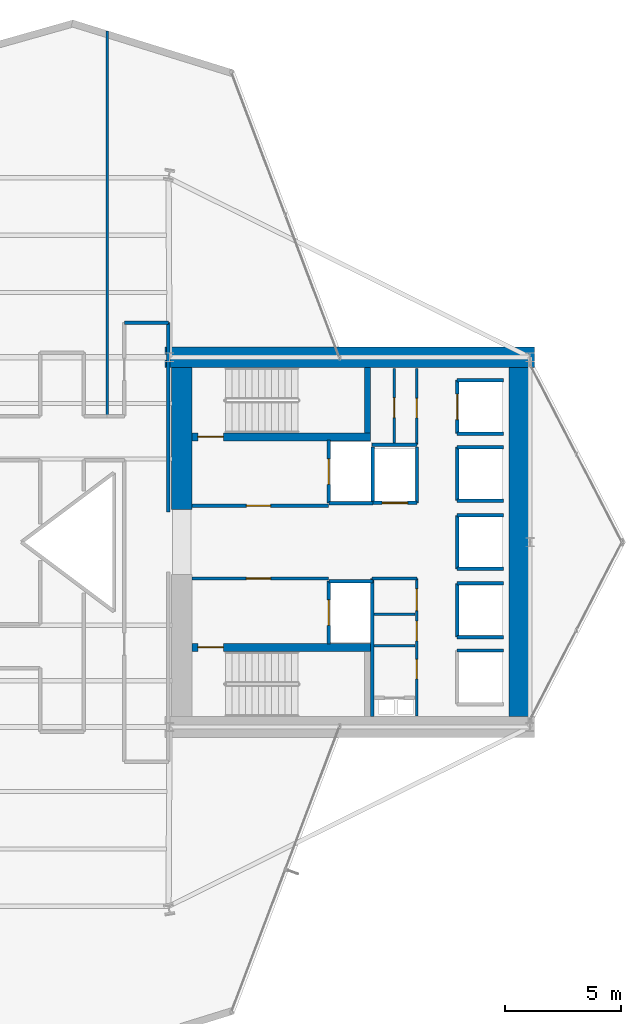
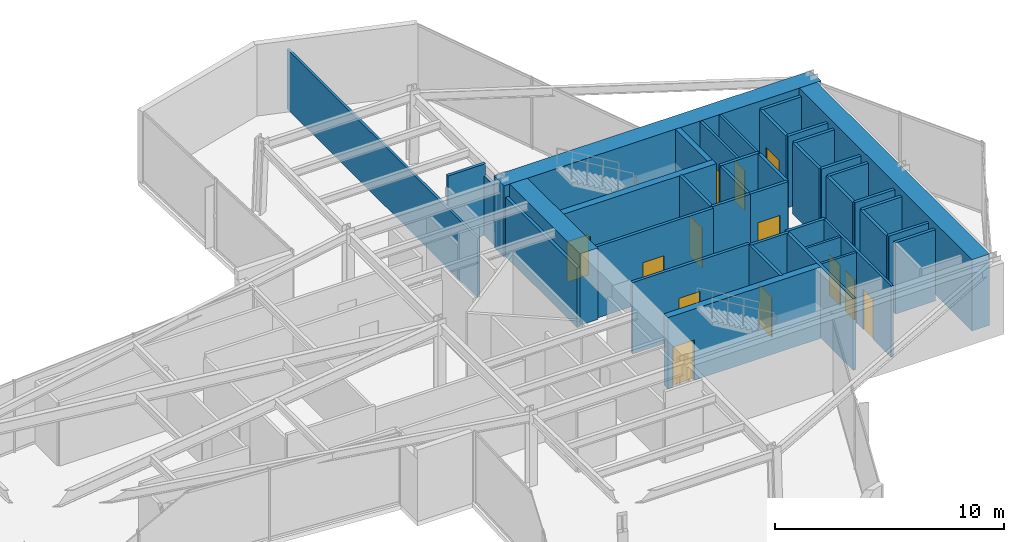
# One storey, part 26 of 28: 39 walls, 13 doors, 13 openings.
"""IFC4 building model written with IfcOpenShell, lengths in metres."""

from ifc_helpers import new_model, si_unit, direction, frame, frame_2d, origin, place, context, subcontext, project, spatial, rectangle, extrude, material, layer, layer_set, type_object, element, fill, save


model = new_model("IFC4")

# Units and contexts
model_context = context("Model", 3, precision=1e-05, world=origin(), true_north=direction((0.0, 1.0)))
body_context = subcontext(model_context, "Body", "Model", "MODEL_VIEW")
ifc_project = project(units=[si_unit("LENGTHUNIT", "METRE"), si_unit("AREAUNIT", "SQUARE_METRE"), si_unit("VOLUMEUNIT", "CUBIC_METRE"), si_unit("PLANEANGLEUNIT", "RADIAN"), si_unit("MASSUNIT", "GRAM", prefix="KILO")], contexts=[model_context])

# Site, building, storey
site_placement = place(None, origin())
site = spatial("IfcSite", under=ifc_project, at=site_placement, CompositionType="ELEMENT")
building_placement = place(site_placement, origin())
building = spatial("IfcBuilding", under=site, at=building_placement, Name="Veymaron Broadcast Tower", CompositionType="ELEMENT")
storey_placement = place(building_placement, frame((0.0, 0.0, 45.89990234375)))
storey = spatial("IfcBuildingStorey", under=building, at=storey_placement, Name="L09", CompositionType="ELEMENT", Elevation=45.89990234375)

# Wall, opening, door
ifc_material_1 = material(Name="Gypsum fireboard and steel stud framing", Category="steel")
ifc_layer_1 = layer(ifc_material_1, 0.14990234375)
ifc_layer_set_1 = layer_set([ifc_layer_1], Name="Gypsum fireboard and steel stud framing")
wall_type_1 = type_object("IfcWallType", Name="WALL-FIRE-150", PredefinedType="PARTITIONING", material=ifc_layer_set_1)
wall_1_placement = place(storey_placement, frame((39.97998046875, 25.574951171875, 0.0), z_axis=(0.0, 0.0, 1.0), x_axis=(1.0, 0.0, 0.0)))
wall_1 = element("IfcWall", 1, at=wall_1_placement, inside=storey, type_object=wall_type_1, Name="L09 partition IW-L09-FFLN-S", PredefinedType="PARTITIONING", context=body_context, shape_type="SweptSolid", body=[
    extrude(rectangle(XDim=5.89990234375, YDim=0.14990234375, at=frame_2d((2.949951171875, 0.0))), origin(), (0.0, 0.0, 1.0), 3.81005859375),
])
opening_1_placement = place(wall_1_placement, frame((2.35009765625, 0.0, 0.0)))
opening_1 = element("IfcOpeningElement", 2, at=opening_1_placement, cuts=wall_1, Name="Opening ID-FL1", PredefinedType="OPENING", context=body_context, shape_type="SweptSolid", body=[
    extrude(rectangle(XDim=1.050048828125, YDim=2.14990234375, at=frame_2d((0.52490234375, 1.074951171875))), frame((0.0, 0.0849609375, 0.0), z_axis=(0.0, -1.0, 0.0), x_axis=(1.0, 0.0, 0.0)), (0.0, 0.0, 1.0), 0.169921875),
])
ifc_material_2 = material(Name="Fire-rated painted hollow steel ASTM A653", Category="steel")
door_type_1 = type_object("IfcDoorType", Name="DOOR-FIRE-1050", OperationType="NOTDEFINED", PredefinedType="DOOR", material=ifc_material_2)
door_1_placement = place(opening_1_placement, origin())
door_1 = element("IfcDoor", 3, at=door_1_placement, inside=storey, type_object=door_type_1, Name="L09 door DR-L09-FFLN", OperationType="SINGLE_SWING_LEFT", OverallHeight=2.14990234375, OverallWidth=1.050048828125, PredefinedType="DOOR", context=body_context, shape_type="SweptSolid", body=[
    extrude(rectangle(XDim=1.050048828125, YDim=2.14990234375, at=frame_2d((0.52490234375, 1.074951171875))), frame((0.0, 0.02490234375, 0.0), z_axis=(0.0, -1.0, 0.0), x_axis=(1.0, 0.0, 0.0)), (0.0, 0.0, 1.0), 0.050048828125),
])
fill(opening_1, door_1)

wall_2_placement = place(storey_placement, frame((39.97998046875, 22.425048828125, 0.0), z_axis=(0.0, 0.0, 1.0), x_axis=(1.0, 0.0, 0.0)))
wall_2 = element("IfcWall", 4, at=wall_2_placement, inside=storey, type_object=wall_type_1, Name="L09 partition IW-L09-FFLS-N", PredefinedType="PARTITIONING", context=body_context, shape_type="SweptSolid", body=[
    extrude(rectangle(XDim=5.89990234375, YDim=0.14990234375, at=frame_2d((2.949951171875, 0.0))), origin(), (0.0, 0.0, 1.0), 3.81005859375),
])
opening_2_placement = place(wall_2_placement, frame((2.35009765625, 0.0, 0.0)))
opening_2 = element("IfcOpeningElement", 5, at=opening_2_placement, cuts=wall_2, Name="Opening ID-FL1", PredefinedType="OPENING", context=body_context, shape_type="SweptSolid", body=[
    extrude(rectangle(XDim=1.050048828125, YDim=2.14990234375, at=frame_2d((0.52490234375, 1.074951171875))), frame((0.0, 0.0849609375, 0.0), z_axis=(0.0, -1.0, 0.0), x_axis=(1.0, 0.0, 0.0)), (0.0, 0.0, 1.0), 0.169921875),
])
door_2_placement = place(opening_2_placement, frame((1.050048828125, 0.0, 0.0), z_axis=(0.0, 0.0, 1.0), x_axis=(-1.0, 0.0, 0.0)))
door_2 = element("IfcDoor", 6, at=door_2_placement, inside=storey, type_object=door_type_1, Name="L09 door DR-L09-FFLS", OperationType="SINGLE_SWING_RIGHT", OverallHeight=2.14990234375, OverallWidth=1.050048828125, PredefinedType="DOOR", context=body_context, shape_type="SweptSolid", body=[
    extrude(rectangle(XDim=1.050048828125, YDim=2.14990234375, at=frame_2d((0.52490234375, 1.074951171875))), frame((0.0, 0.02490234375, 0.0), z_axis=(0.0, -1.0, 0.0), x_axis=(1.0, 0.0, 0.0)), (0.0, 0.0, 1.0), 0.050048828125),
])
fill(opening_2, door_2)

wall_3_placement = place(storey_placement, frame((45.89501953125, 25.68994140625, 0.0), z_axis=(0.0, 0.0, 1.0), x_axis=(0.0, 1.0, 0.0)))
wall_3 = element("IfcWall", 7, at=wall_3_placement, inside=storey, type_object=wall_type_1, Name="L09 partition IW-L09-SHW-FFL-1", PredefinedType="PARTITIONING", context=body_context, shape_type="SweptSolid", body=[
    extrude(rectangle(XDim=2.719970703125, YDim=0.14990234375, at=frame_2d((1.35986328125, 0.0))), origin(), (0.0, 0.0, 1.0), 3.81005859375),
])
opening_3_placement = place(wall_3_placement, frame((0.81005859375, 0.0, 0.0)))
opening_3 = element("IfcOpeningElement", 8, at=opening_3_placement, cuts=wall_3, Name="Opening LD", PredefinedType="OPENING", context=body_context, shape_type="SweptSolid", body=[
    extrude(rectangle(XDim=1.10009765625, YDim=2.14990234375, at=frame_2d((0.550048828125, 1.074951171875))), frame((0.0, 0.0849609375, 0.0), z_axis=(0.0, -1.0, 0.0), x_axis=(1.0, 0.0, 0.0)), (0.0, 0.0, 1.0), 0.169921875),
])
ifc_material_3 = material(Name="Brushed stainless steel AISI 304", Category="steel")
door_type_2 = type_object("IfcDoorType", Name="DOOR-LIFT-1100", OperationType="DOUBLE_DOOR_SLIDING", PredefinedType="DOOR", material=ifc_material_3)
door_3_placement = place(opening_3_placement, frame((1.10009765625, 0.0, 0.0), z_axis=(0.0, 0.0, 1.0), x_axis=(-1.0, 0.0, 0.0)))
door_3 = element("IfcDoor", 9, at=door_3_placement, inside=storey, type_object=door_type_2, Name="L09 door LD-L09-FFL-1", OperationType="DOUBLE_DOOR_SLIDING", OverallHeight=2.14990234375, OverallWidth=1.10009765625, PredefinedType="DOOR", context=body_context, shape_type="SweptSolid", body=[
    extrude(rectangle(XDim=1.10009765625, YDim=2.14990234375, at=frame_2d((0.550048828125, 1.074951171875))), frame((0.0, 0.02490234375, 0.0), z_axis=(0.0, -1.0, 0.0), x_axis=(1.0, 0.0, 0.0)), (0.0, 0.0, 1.0), 0.050048828125),
])
fill(opening_3, door_3)

# Wall
wall_4_placement = place(storey_placement, frame((45.89501953125, 25.68994140625, 0.0), z_axis=(0.0, 0.0, 1.0), x_axis=(1.0, 0.0, 0.0)))
element("IfcWall", 10, at=wall_4_placement, inside=storey, type_object=wall_type_1, Name="L09 partition IW-L09-SHS-FFL-1", PredefinedType="PARTITIONING", context=body_context, shape_type="SweptSolid", body=[
    extrude(rectangle(XDim=1.9150390625, YDim=0.14990234375, at=frame_2d((0.95751953125, 0.0))), origin(), (0.0, 0.0, 1.0), 3.81005859375),
])

# Wall, opening, door
wall_5_placement = place(storey_placement, frame((45.89501953125, 19.590087890625, 0.0), z_axis=(0.0, 0.0, 1.0), x_axis=(0.0, 1.0, 0.0)))
wall_5 = element("IfcWall", 11, at=wall_5_placement, inside=storey, type_object=wall_type_1, Name="L09 partition IW-L09-SHW-FFL-2", PredefinedType="PARTITIONING", context=body_context, shape_type="SweptSolid", body=[
    extrude(rectangle(XDim=2.719970703125, YDim=0.14990234375, at=frame_2d((1.35986328125, 0.0))), origin(), (0.0, 0.0, 1.0), 3.81005859375),
])
opening_4_placement = place(wall_5_placement, frame((0.81005859375, 0.0, 0.0)))
opening_4 = element("IfcOpeningElement", 12, at=opening_4_placement, cuts=wall_5, Name="Opening LD", PredefinedType="OPENING", context=body_context, shape_type="SweptSolid", body=[
    extrude(rectangle(XDim=1.10009765625, YDim=2.14990234375, at=frame_2d((0.550048828125, 1.074951171875))), frame((0.0, 0.0849609375, 0.0), z_axis=(0.0, -1.0, 0.0), x_axis=(1.0, 0.0, 0.0)), (0.0, 0.0, 1.0), 0.169921875),
])
door_4_placement = place(opening_4_placement, frame((1.10009765625, 0.0, 0.0), z_axis=(0.0, 0.0, 1.0), x_axis=(-1.0, 0.0, 0.0)))
door_4 = element("IfcDoor", 13, at=door_4_placement, inside=storey, type_object=door_type_2, Name="L09 door LD-L09-FFL-2", OperationType="DOUBLE_DOOR_SLIDING", OverallHeight=2.14990234375, OverallWidth=1.10009765625, PredefinedType="DOOR", context=body_context, shape_type="SweptSolid", body=[
    extrude(rectangle(XDim=1.10009765625, YDim=2.14990234375, at=frame_2d((0.550048828125, 1.074951171875))), frame((0.0, 0.02490234375, 0.0), z_axis=(0.0, -1.0, 0.0), x_axis=(1.0, 0.0, 0.0)), (0.0, 0.0, 1.0), 0.050048828125),
])
fill(opening_4, door_4)

# Wall
wall_6_placement = place(storey_placement, frame((45.89501953125, 22.31005859375, 0.0), z_axis=(0.0, 0.0, 1.0), x_axis=(1.0, 0.0, 0.0)))
element("IfcWall", 14, at=wall_6_placement, inside=storey, type_object=wall_type_1, Name="L09 partition IW-L09-SHN-FFL-2", PredefinedType="PARTITIONING", context=body_context, shape_type="SweptSolid", body=[
    extrude(rectangle(XDim=1.9150390625, YDim=0.14990234375, at=frame_2d((0.95751953125, 0.0))), origin(), (0.0, 0.0, 1.0), 3.81005859375),
])

# Wall, opening, door
wall_7_placement = place(storey_placement, frame((47.7900390625, 25.695068359375, 0.0), z_axis=(0.0, 0.0, 1.0), x_axis=(1.0, 0.0, 0.0)))
wall_7 = element("IfcWall", 15, at=wall_7_placement, inside=storey, type_object=wall_type_1, Name="L09 partition IW-L09-SHS-SL-1", PredefinedType="PARTITIONING", context=body_context, shape_type="SweptSolid", body=[
    extrude(rectangle(XDim=1.919921875, YDim=0.14990234375, at=frame_2d((0.9599609375, 0.0))), origin(), (0.0, 0.0, 1.0), 3.81005859375),
])
opening_5_placement = place(wall_7_placement, frame((0.409912109375, 0.0, 0.0)))
opening_5 = element("IfcOpeningElement", 16, at=opening_5_placement, cuts=wall_7, Name="Opening LD", PredefinedType="OPENING", context=body_context, shape_type="SweptSolid", body=[
    extrude(rectangle(XDim=1.10009765625, YDim=2.14990234375, at=frame_2d((0.550048828125, 1.074951171875))), frame((0.0, 0.0849609375, 0.0), z_axis=(0.0, -1.0, 0.0), x_axis=(1.0, 0.0, 0.0)), (0.0, 0.0, 1.0), 0.169921875),
])
door_5_placement = place(opening_5_placement, frame((1.10009765625, 0.0, 0.0), z_axis=(0.0, 0.0, 1.0), x_axis=(-1.0, 0.0, 0.0)))
door_5 = element("IfcDoor", 17, at=door_5_placement, inside=storey, type_object=door_type_2, Name="L09 door LD-L09-SL-1", OperationType="DOUBLE_DOOR_SLIDING", OverallHeight=2.14990234375, OverallWidth=1.10009765625, PredefinedType="DOOR", context=body_context, shape_type="SweptSolid", body=[
    extrude(rectangle(XDim=1.10009765625, YDim=2.14990234375, at=frame_2d((0.550048828125, 1.074951171875))), frame((0.0, 0.02490234375, 0.0), z_axis=(0.0, -1.0, 0.0), x_axis=(1.0, 0.0, 0.0)), (0.0, 0.0, 1.0), 0.050048828125),
])
fill(opening_5, door_5)

# Walls
for number, where, z_axis, x_axis, name in (
    (18, (47.7900390625, 25.695068359375, 0.0), (0.0, 0.0, 1.0), (0.0, 1.0, 0.0), "L09 partition IW-L09-SHW-SL-1"),
    (19, (49.7099609375, 25.695068359375, 0.0), (0.0, 0.0, 1.0), (0.0, 1.0, 0.0), "L09 partition IW-L09-SHE-SL-1"),
):
    element("IfcWall", number, at=place(storey_placement, frame(where, z_axis=z_axis, x_axis=x_axis)), inside=storey, type_object=wall_type_1, Name=name, PredefinedType="PARTITIONING", context=body_context, shape_type="SweptSolid", body=[
        extrude(rectangle(XDim=2.4150390625, YDim=0.14990234375, at=frame_2d((1.20751953125, 0.0))), origin(), (0.0, 0.0, 1.0), 3.81005859375),
    ])

# Wall, opening, door
wall_8_placement = place(storey_placement, frame((51.445068359375, 28.68994140625, 0.0), z_axis=(0.0, 0.0, 1.0), x_axis=(0.0, 1.0, 0.0)))
wall_8 = element("IfcWall", 20, at=wall_8_placement, inside=storey, type_object=wall_type_1, Name="L09 partition IW-L09-SHW-PL1", PredefinedType="PARTITIONING", context=body_context, shape_type="SweptSolid", body=[
    extrude(rectangle(XDim=2.320068359375, YDim=0.14990234375, at=frame_2d((1.16015625, 0.0))), origin(), (0.0, 0.0, 1.0), 3.81005859375),
])
opening_6_placement = place(wall_8_placement, frame((0.610107421875, 0.0, 0.0)))
opening_6 = element("IfcOpeningElement", 21, at=opening_6_placement, cuts=wall_8, Name="Opening LD", PredefinedType="OPENING", context=body_context, shape_type="SweptSolid", body=[
    extrude(rectangle(XDim=1.10009765625, YDim=2.14990234375, at=frame_2d((0.550048828125, 1.074951171875))), frame((0.0, 0.0849609375, 0.0), z_axis=(0.0, -1.0, 0.0), x_axis=(1.0, 0.0, 0.0)), (0.0, 0.0, 1.0), 0.169921875),
])
door_6_placement = place(opening_6_placement, frame((1.10009765625, 0.0, 0.0), z_axis=(0.0, 0.0, 1.0), x_axis=(-1.0, 0.0, 0.0)))
door_6 = element("IfcDoor", 22, at=door_6_placement, inside=storey, type_object=door_type_2, Name="L09 door LD-L09-PL1", OperationType="DOUBLE_DOOR_SLIDING", OverallHeight=2.14990234375, OverallWidth=1.10009765625, PredefinedType="DOOR", context=body_context, shape_type="SweptSolid", body=[
    extrude(rectangle(XDim=1.10009765625, YDim=2.14990234375, at=frame_2d((0.550048828125, 1.074951171875))), frame((0.0, 0.02490234375, 0.0), z_axis=(0.0, -1.0, 0.0), x_axis=(1.0, 0.0, 0.0)), (0.0, 0.0, 1.0), 0.050048828125),
])
fill(opening_6, door_6)

# Walls
for number, where, z_axis, x_axis, name in (
    (23, (51.445068359375, 28.68994140625, 0.0), (0.0, 0.0, 1.0), (1.0, 0.0, 0.0), "L09 partition IW-L09-SHS-PL1"),
    (24, (51.445068359375, 31.010009765625, 0.0), (0.0, 0.0, 1.0), (1.0, 0.0, 0.0), "L09 partition IW-L09-SHN-PL1"),
):
    element("IfcWall", number, at=place(storey_placement, frame(where, z_axis=z_axis, x_axis=x_axis)), inside=storey, type_object=wall_type_1, Name=name, PredefinedType="PARTITIONING", context=body_context, shape_type="SweptSolid", body=[
        extrude(rectangle(XDim=2.014892578125, YDim=0.14990234375, at=frame_2d((1.00732421875, 0.0))), origin(), (0.0, 0.0, 1.0), 3.81005859375),
    ])
wall_9_placement = place(storey_placement, frame((51.445068359375, 25.7900390625, 0.0), z_axis=(0.0, 0.0, 1.0), x_axis=(0.0, 1.0, 0.0)))
element("IfcWall", 25, at=wall_9_placement, inside=storey, type_object=wall_type_1, Name="L09 partition IW-L09-SHW-PM1", PredefinedType="PARTITIONING", context=body_context, shape_type="SweptSolid", body=[
    extrude(rectangle(XDim=2.320068359375, YDim=0.14990234375, at=frame_2d((1.16015625, 0.0))), origin(), (0.0, 0.0, 1.0), 3.81005859375),
])
for number, where, z_axis, x_axis, name in (
    (26, (51.445068359375, 25.7900390625, 0.0), (0.0, 0.0, 1.0), (1.0, 0.0, 0.0), "L09 partition IW-L09-SHS-PM1"),
    (27, (51.445068359375, 28.110107421875, 0.0), (0.0, 0.0, 1.0), (1.0, 0.0, 0.0), "L09 partition IW-L09-SHN-PM1"),
):
    element("IfcWall", number, at=place(storey_placement, frame(where, z_axis=z_axis, x_axis=x_axis)), inside=storey, type_object=wall_type_1, Name=name, PredefinedType="PARTITIONING", context=body_context, shape_type="SweptSolid", body=[
        extrude(rectangle(XDim=2.014892578125, YDim=0.14990234375, at=frame_2d((1.00732421875, 0.0))), origin(), (0.0, 0.0, 1.0), 3.81005859375),
    ])
wall_10_placement = place(storey_placement, frame((51.445068359375, 19.889892578125, 0.0), z_axis=(0.0, 0.0, 1.0), x_axis=(0.0, 1.0, 0.0)))
element("IfcWall", 28, at=wall_10_placement, inside=storey, type_object=wall_type_1, Name="L09 partition IW-L09-SHW-PM2", PredefinedType="PARTITIONING", context=body_context, shape_type="SweptSolid", body=[
    extrude(rectangle(XDim=2.320068359375, YDim=0.14990234375, at=frame_2d((1.16015625, 0.0))), origin(), (0.0, 0.0, 1.0), 3.81005859375),
])
for number, where, z_axis, x_axis, name in (
    (29, (51.445068359375, 19.889892578125, 0.0), (0.0, 0.0, 1.0), (1.0, 0.0, 0.0), "L09 partition IW-L09-SHS-PM2"),
    (30, (51.445068359375, 22.2099609375, 0.0), (0.0, 0.0, 1.0), (1.0, 0.0, 0.0), "L09 partition IW-L09-SHN-PM2"),
):
    element("IfcWall", number, at=place(storey_placement, frame(where, z_axis=z_axis, x_axis=x_axis)), inside=storey, type_object=wall_type_1, Name=name, PredefinedType="PARTITIONING", context=body_context, shape_type="SweptSolid", body=[
        extrude(rectangle(XDim=2.014892578125, YDim=0.14990234375, at=frame_2d((1.00732421875, 0.0))), origin(), (0.0, 0.0, 1.0), 3.81005859375),
    ])
wall_11_placement = place(storey_placement, frame((51.445068359375, 22.840087890625, 0.0), z_axis=(0.0, 0.0, 1.0), x_axis=(0.0, 1.0, 0.0)))
element("IfcWall", 31, at=wall_11_placement, inside=storey, type_object=wall_type_1, Name="L09 partition IW-L09-SHW-PM3", PredefinedType="PARTITIONING", context=body_context, shape_type="SweptSolid", body=[
    extrude(rectangle(XDim=2.31982421875, YDim=0.14990234375, at=frame_2d((1.159912109375, 0.0))), origin(), (0.0, 0.0, 1.0), 3.81005859375),
])
for number, where, z_axis, x_axis, name in (
    (32, (51.445068359375, 22.840087890625, 0.0), (0.0, 0.0, 1.0), (1.0, 0.0, 0.0), "L09 partition IW-L09-SHS-PM3"),
    (33, (51.445068359375, 25.159912109375, 0.0), (0.0, 0.0, 1.0), (1.0, 0.0, 0.0), "L09 partition IW-L09-SHN-PM3"),
    (34, (51.445068359375, 19.31005859375, 0.0), (0.0, 0.0, 1.0), (1.0, 0.0, 0.0), "L09 partition IW-L09-SHN-PH1"),
):
    element("IfcWall", number, at=place(storey_placement, frame(where, z_axis=z_axis, x_axis=x_axis)), inside=storey, type_object=wall_type_1, Name=name, PredefinedType="PARTITIONING", context=body_context, shape_type="SweptSolid", body=[
        extrude(rectangle(XDim=2.014892578125, YDim=0.14990234375, at=frame_2d((1.00732421875, 0.0))), origin(), (0.0, 0.0, 1.0), 3.81005859375),
    ])
wall_12_placement = place(storey_placement, frame((47.760009765625, 22.425048828125, 0.0), z_axis=(0.0, 0.0, 1.0), x_axis=(1.0, 0.0, 0.0)))
element("IfcWall", 35, at=wall_12_placement, inside=storey, type_object=wall_type_1, Name="L09 partition IW-L09-SM-N", PredefinedType="PARTITIONING", context=body_context, shape_type="SweptSolid", body=[
    extrude(rectangle(XDim=1.9599609375, YDim=0.14990234375, at=frame_2d((0.97998046875, 0.0))), origin(), (0.0, 0.0, 1.0), 3.81005859375),
])
wall_13_placement = place(storey_placement, frame((47.780029296875, 16.449951171875, 0.0), z_axis=(0.0, 0.0, 1.0), x_axis=(0.0, 1.0, 0.0)))
element("IfcWall", 36, at=wall_13_placement, inside=storey, type_object=wall_type_1, Name="L09 partition IW-L09-SM-W", PredefinedType="PARTITIONING", context=body_context, shape_type="SweptSolid", body=[
    extrude(rectangle(XDim=5.97509765625, YDim=0.14990234375, at=frame_2d((2.987548828125, 0.0))), origin(), (0.0, 0.0, 1.0), 3.81005859375),
])
wall_14_placement = place(storey_placement, frame((47.760009765625, 28.219970703125, 0.0), z_axis=(0.0, 0.0, 1.0), x_axis=(1.0, 0.0, 0.0)))
element("IfcWall", 37, at=wall_14_placement, inside=storey, type_object=wall_type_1, Name="L09 partition IW-L09-NM-S", PredefinedType="PARTITIONING", context=body_context, shape_type="SweptSolid", body=[
    extrude(rectangle(XDim=1.9599609375, YDim=0.14990234375, at=frame_2d((0.97998046875, 0.0))), origin(), (0.0, 0.0, 1.0), 3.81005859375),
])
wall_15_placement = place(storey_placement, frame((38.949951171875, 25.300048828125, 0.0), z_axis=(0.0, 0.0, 1.0), x_axis=(0.0, 1.0, 0.0)))
element("IfcWall", 38, at=wall_15_placement, inside=storey, type_object=wall_type_1, Name="L09 partition IW-L09-P29", PredefinedType="PARTITIONING", context=body_context, shape_type="SweptSolid", body=[
    extrude(rectangle(XDim=8.199951171875, YDim=0.14990234375, at=frame_2d((4.10009765625, 0.0))), origin(), (0.0, 0.0, 1.0), 3.18115234375),
])
wall_16_placement = place(storey_placement, frame((37.050048828125, 33.5, 0.0), z_axis=(0.0, 0.0, 1.0), x_axis=(1.0, 0.0, 0.0)))
element("IfcWall", 39, at=wall_16_placement, inside=storey, type_object=wall_type_1, Name="L09 partition IW-L09-P31", PredefinedType="PARTITIONING", context=body_context, shape_type="SweptSolid", body=[
    extrude(rectangle(XDim=1.89990234375, YDim=0.14990234375, at=frame_2d((0.949951171875, 0.0))), origin(), (0.0, 0.0, 1.0), 3.81005859375),
])
ifc_material_4 = material(Name="Acoustic gypsum board and galvanized stud", Category="gypsum")
ifc_layer_2 = layer(ifc_material_4, 0.1201171875)
ifc_layer_set_2 = layer_set([ifc_layer_2], Name="Acoustic gypsum board and galvanized stud")
wall_type_2 = type_object("IfcWallType", Name="WALL-PART-120", PredefinedType="PARTITIONING", material=ifc_layer_set_2)
for number, where, z_axis, x_axis, name in (
    (40, (47.860107421875, 19.52001953125, 0.0), (0.0, 0.0, 1.0), (1.0, 0.0, 0.0), "L09 partition IW-L09-SM-D1"),
    (41, (47.860107421875, 20.8798828125, 0.0), (0.0, 0.0, 1.0), (1.0, 0.0, 0.0), "L09 partition IW-L09-SM-D2"),
):
    element("IfcWall", number, at=place(storey_placement, frame(where, z_axis=z_axis, x_axis=x_axis)), inside=storey, type_object=wall_type_2, Name=name, PredefinedType="PARTITIONING", context=body_context, shape_type="SweptSolid", body=[
        extrude(rectangle(XDim=1.760009765625, YDim=0.1201171875, at=frame_2d((0.8798828125, 0.0))), origin(), (0.0, 0.0, 1.0), 3.81005859375),
    ])

# Wall, openings, doors
wall_17_placement = place(storey_placement, frame((49.699951171875, 16.47998046875, 0.0), z_axis=(0.0, 0.0, 1.0), x_axis=(0.0, 1.0, 0.0)))
wall_17 = element("IfcWall", 42, at=wall_17_placement, inside=storey, type_object=wall_type_2, Name="L09 partition IW-L09-SM-E", PredefinedType="PARTITIONING", context=body_context, shape_type="SweptSolid", body=[
    extrude(rectangle(XDim=5.945068359375, YDim=0.1201171875, at=frame_2d((2.97265625, 0.0))), origin(), (0.0, 0.0, 1.0), 3.81005859375),
])
opening_7_placement = place(wall_17_placement, frame((1.60009765625, 0.0, 0.0)))
opening_7 = element("IfcOpeningElement", 43, at=opening_7_placement, cuts=wall_17, Name="Opening ID-WC1", PredefinedType="OPENING", context=body_context, shape_type="SweptSolid", body=[
    extrude(rectangle(XDim=0.85009765625, YDim=2.14990234375, at=frame_2d((0.425048828125, 1.074951171875))), frame((0.0, 0.070068359375, 0.0), z_axis=(0.0, -1.0, 0.0), x_axis=(1.0, 0.0, 0.0)), (0.0, 0.0, 1.0), 0.14013671875),
])
opening_8_placement = place(wall_17_placement, frame((3.25, 0.0, 0.0)))
opening_8 = element("IfcOpeningElement", 44, at=opening_8_placement, cuts=wall_17, Name="Opening ID-WC1", PredefinedType="OPENING", context=body_context, shape_type="SweptSolid", body=[
    extrude(rectangle(XDim=0.85009765625, YDim=2.14990234375, at=frame_2d((0.425048828125, 1.074951171875))), frame((0.0, 0.070068359375, 0.0), z_axis=(0.0, -1.0, 0.0), x_axis=(1.0, 0.0, 0.0)), (0.0, 0.0, 1.0), 0.14013671875),
])
opening_9_placement = place(wall_17_placement, frame((4.550048828125, 0.0, 0.0)))
opening_9 = element("IfcOpeningElement", 45, at=opening_9_placement, cuts=wall_17, Name="Opening ID-RM1", PredefinedType="OPENING", context=body_context, shape_type="SweptSolid", body=[
    extrude(rectangle(XDim=0.949951171875, YDim=2.14990234375, at=frame_2d((0.47509765625, 1.074951171875))), frame((0.0, 0.070068359375, 0.0), z_axis=(0.0, -1.0, 0.0), x_axis=(1.0, 0.0, 0.0)), (0.0, 0.0, 1.0), 0.14013671875),
])
ifc_material_5 = material(Name="Moisture-resistant high-pressure laminate timber", Category="wood")
door_type_3 = type_object("IfcDoorType", Name="DOOR-INT-850", OperationType="NOTDEFINED", PredefinedType="DOOR", material=ifc_material_5)
door_7_placement = place(opening_7_placement, frame((0.85009765625, 0.0, 0.0), z_axis=(0.0, 0.0, 1.0), x_axis=(-1.0, 0.0, 0.0)))
door_7 = element("IfcDoor", 46, at=door_7_placement, inside=storey, type_object=door_type_3, Name="L09 door DR-L09-JST", OperationType="SINGLE_SWING_LEFT", OverallHeight=2.14990234375, OverallWidth=0.85009765625, PredefinedType="DOOR", context=body_context, shape_type="SweptSolid", body=[
    extrude(rectangle(XDim=0.85009765625, YDim=2.14990234375, at=frame_2d((0.425048828125, 1.074951171875))), frame((0.0, 0.02490234375, 0.0), z_axis=(0.0, -1.0, 0.0), x_axis=(1.0, 0.0, 0.0)), (0.0, 0.0, 1.0), 0.050048828125),
])
fill(opening_7, door_7)
door_8_placement = place(opening_8_placement, frame((0.85009765625, 0.0, 0.0), z_axis=(0.0, 0.0, 1.0), x_axis=(-1.0, 0.0, 0.0)))
door_8 = element("IfcDoor", 47, at=door_8_placement, inside=storey, type_object=door_type_3, Name="L09 door DR-L09-SWC", OperationType="SINGLE_SWING_RIGHT", OverallHeight=2.14990234375, OverallWidth=0.85009765625, PredefinedType="DOOR", context=body_context, shape_type="SweptSolid", body=[
    extrude(rectangle(XDim=0.85009765625, YDim=2.14990234375, at=frame_2d((0.425048828125, 1.074951171875))), frame((0.0, 0.02490234375, 0.0), z_axis=(0.0, -1.0, 0.0), x_axis=(1.0, 0.0, 0.0)), (0.0, 0.0, 1.0), 0.050048828125),
])
fill(opening_8, door_8)
ifc_material_6 = material(Name="Acoustic solid-core European oak veneer timber", Category="wood")
door_type_4 = type_object("IfcDoorType", Name="DOOR-INT-950", OperationType="NOTDEFINED", PredefinedType="DOOR", material=ifc_material_6)
door_9_placement = place(opening_9_placement, frame((0.949951171875, 0.0, 0.0), z_axis=(0.0, 0.0, 1.0), x_axis=(-1.0, 0.0, 0.0)))
door_9 = element("IfcDoor", 48, at=door_9_placement, inside=storey, type_object=door_type_4, Name="L09 door DR-L09-AWC", OperationType="SINGLE_SWING_LEFT", OverallHeight=2.14990234375, OverallWidth=0.949951171875, PredefinedType="DOOR", context=body_context, shape_type="SweptSolid", body=[
    extrude(rectangle(XDim=0.949951171875, YDim=2.14990234375, at=frame_2d((0.47509765625, 1.074951171875))), frame((0.0, 0.02490234375, 0.0), z_axis=(0.0, -1.0, 0.0), x_axis=(1.0, 0.0, 0.0)), (0.0, 0.0, 1.0), 0.050048828125),
])
fill(opening_9, door_9)

# Wall, opening, door
wall_18_placement = place(storey_placement, frame((48.72998046875, 28.239990234375, 0.0), z_axis=(0.0, 0.0, 1.0), x_axis=(0.0, 1.0, 0.0)))
wall_18 = element("IfcWall", 49, at=wall_18_placement, inside=storey, type_object=wall_type_2, Name="L09 partition IW-L09-NM-VX", PredefinedType="PARTITIONING", context=body_context, shape_type="SweptSolid", body=[
    extrude(rectangle(XDim=3.280029296875, YDim=0.1201171875, at=frame_2d((1.64013671875, 0.0))), origin(), (0.0, 0.0, 1.0), 3.81005859375),
])
opening_10_placement = place(wall_18_placement, frame((1.14990234375, 0.0, 0.0)))
opening_10 = element("IfcOpeningElement", 50, at=opening_10_placement, cuts=wall_18, Name="Opening ID-WC1", PredefinedType="OPENING", context=body_context, shape_type="SweptSolid", body=[
    extrude(rectangle(XDim=0.85009765625, YDim=2.14990234375, at=frame_2d((0.425048828125, 1.074951171875))), frame((0.0, 0.070068359375, 0.0), z_axis=(0.0, -1.0, 0.0), x_axis=(1.0, 0.0, 0.0)), (0.0, 0.0, 1.0), 0.14013671875),
])
door_10_placement = place(opening_10_placement, frame((0.85009765625, 0.0, 0.0), z_axis=(0.0, 0.0, 1.0), x_axis=(-1.0, 0.0, 0.0)))
door_10 = element("IfcDoor", 51, at=door_10_placement, inside=storey, type_object=door_type_3, Name="L09 door DR-L09-NMB", OperationType="SINGLE_SWING_LEFT", OverallHeight=2.14990234375, OverallWidth=0.85009765625, PredefinedType="DOOR", context=body_context, shape_type="SweptSolid", body=[
    extrude(rectangle(XDim=0.85009765625, YDim=2.14990234375, at=frame_2d((0.425048828125, 1.074951171875))), frame((0.0, 0.02490234375, 0.0), z_axis=(0.0, -1.0, 0.0), x_axis=(1.0, 0.0, 0.0)), (0.0, 0.0, 1.0), 0.050048828125),
])
fill(opening_10, door_10)

wall_19_placement = place(storey_placement, frame((49.699951171875, 28.219970703125, 0.0), z_axis=(0.0, 0.0, 1.0), x_axis=(0.0, 1.0, 0.0)))
wall_19 = element("IfcWall", 52, at=wall_19_placement, inside=storey, type_object=wall_type_2, Name="L09 partition IW-L09-NM-E", PredefinedType="PARTITIONING", context=body_context, shape_type="SweptSolid", body=[
    extrude(rectangle(XDim=3.300048828125, YDim=0.1201171875, at=frame_2d((1.64990234375, 0.0))), origin(), (0.0, 0.0, 1.0), 3.81005859375),
])
opening_11_placement = place(wall_19_placement, frame((1.14990234375, 0.0, 0.0)))
opening_11 = element("IfcOpeningElement", 53, at=opening_11_placement, cuts=wall_19, Name="Opening ID-WC1", PredefinedType="OPENING", context=body_context, shape_type="SweptSolid", body=[
    extrude(rectangle(XDim=0.85009765625, YDim=2.14990234375, at=frame_2d((0.425048828125, 1.074951171875))), frame((0.0, 0.070068359375, 0.0), z_axis=(0.0, -1.0, 0.0), x_axis=(1.0, 0.0, 0.0)), (0.0, 0.0, 1.0), 0.14013671875),
])
door_11_placement = place(opening_11_placement, frame((0.85009765625, 0.0, 0.0), z_axis=(0.0, 0.0, 1.0), x_axis=(-1.0, 0.0, 0.0)))
door_11 = element("IfcDoor", 54, at=door_11_placement, inside=storey, type_object=door_type_3, Name="L09 door DR-L09-NMA", OperationType="SINGLE_SWING_RIGHT", OverallHeight=2.14990234375, OverallWidth=0.85009765625, PredefinedType="DOOR", context=body_context, shape_type="SweptSolid", body=[
    extrude(rectangle(XDim=0.85009765625, YDim=2.14990234375, at=frame_2d((0.425048828125, 1.074951171875))), frame((0.0, 0.02490234375, 0.0), z_axis=(0.0, -1.0, 0.0), x_axis=(1.0, 0.0, 0.0)), (0.0, 0.0, 1.0), 0.050048828125),
])
fill(opening_11, door_11)

# Walls
wall_20_placement = place(storey_placement, frame((36.303955078125, 29.449951171875, 0.0), z_axis=(0.0, 0.0, 1.0), x_axis=(0.0, 1.0, 0.0)))
element("IfcWall", 55, at=wall_20_placement, inside=storey, type_object=wall_type_2, Name="L09 partition IW-L09-P36", PredefinedType="PARTITIONING", context=body_context, shape_type="SweptSolid", body=[
    extrude(rectangle(XDim=16.670166015625, YDim=0.1201171875, at=frame_2d((8.3349609375, 0.0))), origin(), (0.0, 0.0, 1.0), 3.18115234375),
])
ifc_material_7 = material(Name="Concrete C50/60", Category="concrete")
ifc_layer_3 = layer(ifc_material_7, 0.25)
ifc_layer_set_3 = layer_set([ifc_layer_3], Name="Concrete C50/60")
wall_type_3 = type_object("IfcWallType", Name="WALL-SHEAR-250", PredefinedType="SHEAR", material=ifc_layer_set_3)
wall_21_placement = place(storey_placement, frame((47.56494140625, 28.72998046875, 0.0), z_axis=(0.0, 0.0, 1.0), x_axis=(0.0, 1.0, 0.0)))
element("IfcWall", 56, at=wall_21_placement, inside=storey, type_object=wall_type_3, Name="L09 Core Wall north stair east shear", PredefinedType="SHEAR", context=body_context, shape_type="SweptSolid", body=[
    extrude(rectangle(XDim=2.820068359375, YDim=0.25, at=frame_2d((1.41015625, 0.0))), origin(), (0.0, 0.0, 1.0), 3.81005859375),
])

# Wall, opening, door
ifc_layer_4 = layer(ifc_material_7, 0.35009765625)
ifc_layer_set_4 = layer_set([ifc_layer_4], Name="Concrete C50/60")
wall_type_4 = type_object("IfcWallType", Name="WALL-SHEAR-350", PredefinedType="SHEAR", material=ifc_layer_set_4)
wall_22_placement = place(storey_placement, frame((39.97998046875, 28.554931640625, 0.0), z_axis=(0.0, 0.0, 1.0), x_axis=(1.0, 0.0, 0.0)))
wall_22 = element("IfcWall", 57, at=wall_22_placement, inside=storey, type_object=wall_type_4, Name="L09 Core Wall north stair spine", PredefinedType="SHEAR", context=body_context, shape_type="SweptSolid", body=[
    extrude(rectangle(XDim=7.7099609375, YDim=0.35009765625, at=frame_2d((3.85498046875, 0.0))), origin(), (0.0, 0.0, 1.0), 3.81005859375),
])
opening_12_placement = place(wall_22_placement, frame((0.25, 0.0, 0.0)))
opening_12 = element("IfcOpeningElement", 58, at=opening_12_placement, cuts=wall_22, Name="Opening ID-ST1", PredefinedType="OPENING", context=body_context, shape_type="SweptSolid", body=[
    extrude(rectangle(XDim=1.10009765625, YDim=2.14990234375, at=frame_2d((0.550048828125, 1.074951171875))), frame((0.0, 0.18505859375, 0.0), z_axis=(0.0, -1.0, 0.0), x_axis=(1.0, 0.0, 0.0)), (0.0, 0.0, 1.0), 0.3701171875),
])
door_type_5 = type_object("IfcDoorType", Name="DOOR-STAIR-1100", OperationType="NOTDEFINED", PredefinedType="DOOR", material=ifc_material_2)
door_12_placement = place(opening_12_placement, origin())
door_12 = element("IfcDoor", 59, at=door_12_placement, inside=storey, type_object=door_type_5, Name="L09 exit stair ST1 fire door", OperationType="SINGLE_SWING_RIGHT", OverallHeight=2.14990234375, OverallWidth=1.10009765625, PredefinedType="DOOR", context=body_context, shape_type="SweptSolid", body=[
    extrude(rectangle(XDim=1.10009765625, YDim=2.14990234375, at=frame_2d((0.550048828125, 1.074951171875))), frame((0.0, 0.02490234375, 0.0), z_axis=(0.0, -1.0, 0.0), x_axis=(1.0, 0.0, 0.0)), (0.0, 0.0, 1.0), 0.050048828125),
])
fill(opening_12, door_12)

wall_23_placement = place(storey_placement, frame((39.97998046875, 19.445068359375, 0.0), z_axis=(0.0, 0.0, 1.0), x_axis=(1.0, 0.0, 0.0)))
wall_23 = element("IfcWall", 60, at=wall_23_placement, inside=storey, type_object=wall_type_4, Name="L09 Core Wall south stair spine", PredefinedType="SHEAR", context=body_context, shape_type="SweptSolid", body=[
    extrude(rectangle(XDim=7.7099609375, YDim=0.35009765625, at=frame_2d((3.85498046875, 0.0))), origin(), (0.0, 0.0, 1.0), 3.81005859375),
])
opening_13_placement = place(wall_23_placement, frame((0.25, 0.0, 0.0)))
opening_13 = element("IfcOpeningElement", 61, at=opening_13_placement, cuts=wall_23, Name="Opening ID-ST1", PredefinedType="OPENING", context=body_context, shape_type="SweptSolid", body=[
    extrude(rectangle(XDim=1.10009765625, YDim=2.14990234375, at=frame_2d((0.550048828125, 1.074951171875))), frame((0.0, 0.18505859375, 0.0), z_axis=(0.0, -1.0, 0.0), x_axis=(1.0, 0.0, 0.0)), (0.0, 0.0, 1.0), 0.3701171875),
])
door_13_placement = place(opening_13_placement, frame((1.10009765625, 0.0, 0.0), z_axis=(0.0, 0.0, 1.0), x_axis=(-1.0, 0.0, 0.0)))
door_13 = element("IfcDoor", 62, at=door_13_placement, inside=storey, type_object=door_type_5, Name="L09 exit stair ST2 fire door", OperationType="SINGLE_SWING_LEFT", OverallHeight=2.14990234375, OverallWidth=1.10009765625, PredefinedType="DOOR", context=body_context, shape_type="SweptSolid", body=[
    extrude(rectangle(XDim=1.10009765625, YDim=2.14990234375, at=frame_2d((0.550048828125, 1.074951171875))), frame((0.0, 0.02490234375, 0.0), z_axis=(0.0, -1.0, 0.0), x_axis=(1.0, 0.0, 0.0)), (0.0, 0.0, 1.0), 0.050048828125),
])
fill(opening_13, door_13)

# Walls
ifc_material_8 = material(Name="Concrete C70/85", Category="concrete")
ifc_layer_5 = layer(ifc_material_8, 0.89990234375)
ifc_layer_set_5 = layer_set([ifc_layer_5], Name="Concrete C70/85")
wall_type_5 = type_object("IfcWallType", Name="WALL-SHEAR-900", PredefinedType="SHEAR", material=ifc_layer_set_5)
wall_24_placement = place(storey_placement, frame((38.800048828125, 32.0, 0.0), z_axis=(0.0, 0.0, 1.0), x_axis=(1.0, 0.0, 0.0)))
element("IfcWall", 63, at=wall_24_placement, inside=storey, type_object=wall_type_5, Name="L09 Core Wall north shear", PredefinedType="SHEAR", context=body_context, shape_type="SweptSolid", body=[
    extrude(rectangle(XDim=16.0, YDim=0.89990234375, at=frame_2d((8.0, 0.0))), origin(), (0.0, 0.0, 1.0), 3.81005859375),
])
wall_25_placement = place(storey_placement, frame((39.530029296875, 25.39990234375, 0.0), z_axis=(0.0, 0.0, 1.0), x_axis=(0.0, 1.0, 0.0)))
element("IfcWall", 64, at=wall_25_placement, inside=storey, type_object=wall_type_5, Name="L09 Core Wall west-north shear", PredefinedType="SHEAR", context=body_context, shape_type="SweptSolid", body=[
    extrude(rectangle(XDim=6.150146484375, YDim=0.89990234375, at=frame_2d((3.0751953125, 0.0))), origin(), (0.0, 0.0, 1.0), 3.81005859375),
])
wall_26_placement = place(storey_placement, frame((54.14990234375, 16.449951171875, 0.0), z_axis=(0.0, 0.0, 1.0), x_axis=(0.0, 1.0, 0.0)))
element("IfcWall", 65, at=wall_26_placement, inside=storey, type_object=wall_type_5, Name="L09 Core Wall east shear", PredefinedType="SHEAR", context=body_context, shape_type="SweptSolid", body=[
    extrude(rectangle(XDim=15.10009765625, YDim=0.89990234375, at=frame_2d((7.550048828125, 0.0))), origin(), (0.0, 0.0, 1.0), 3.81005859375),
])

save(model, "model.ifc")
